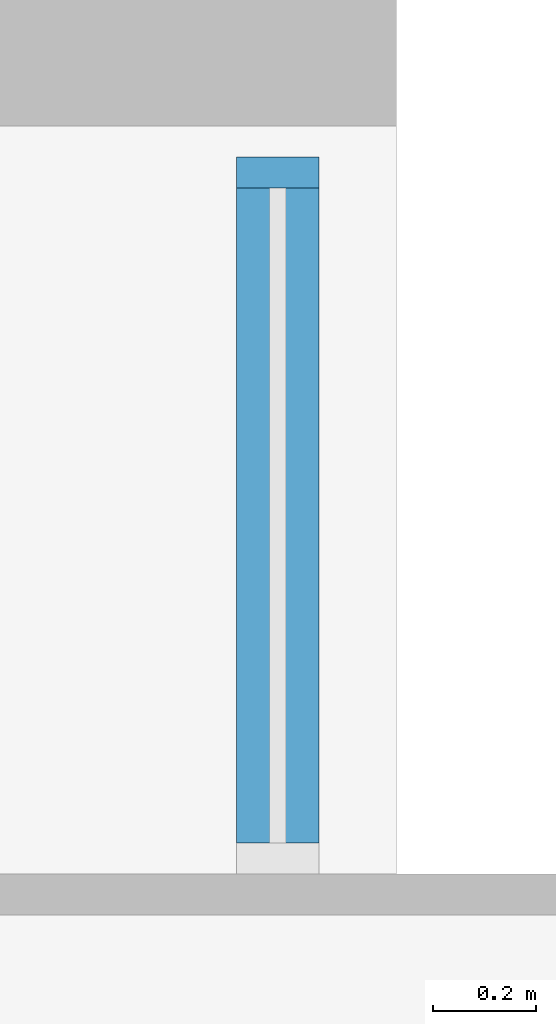
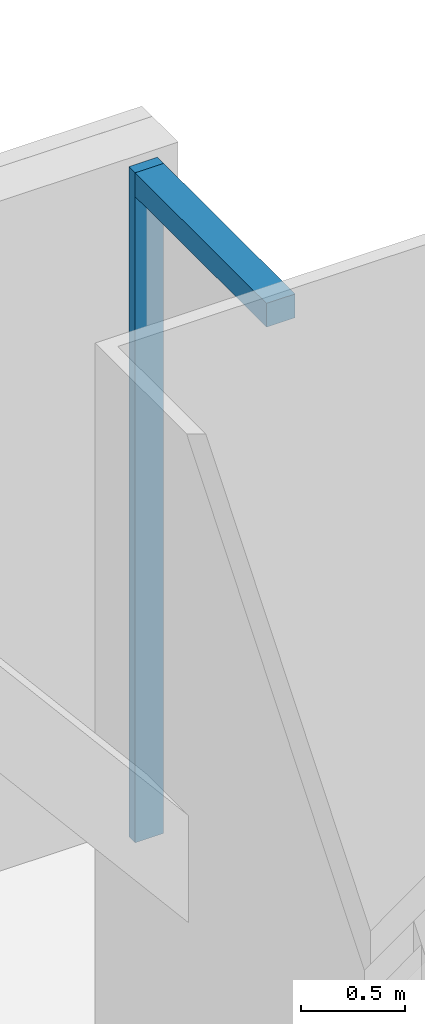
# One storey, part 14 of 22: 2 members, 1 element without a shape of its own.
"""IFC4 building model written with IfcOpenShell, lengths in metres."""

from ifc_helpers import new_model, si_unit, direction, frame, origin, origin_2d, place, context, subcontext, project, spatial, rectangle, extrude, material, material_profile, profile_set, type_object, element, aggregate, save


model = new_model("IFC4")

# Units and contexts
model_context = context("Model", 3, precision=1e-05, world=origin(), true_north=direction((0.0, 1.0)))
body_context = subcontext(model_context, "Body", "Model", "MODEL_VIEW")
ifc_project = project(units=[si_unit("LENGTHUNIT", "METRE"), si_unit("AREAUNIT", "SQUARE_METRE"), si_unit("VOLUMEUNIT", "CUBIC_METRE"), si_unit("PLANEANGLEUNIT", "RADIAN"), si_unit("MASSUNIT", "GRAM", prefix="KILO")], contexts=[model_context])

# Site, building, storey
site_placement = place(None, origin())
site = spatial("IfcSite", under=ifc_project, at=site_placement, CompositionType="ELEMENT")
building_placement = place(site_placement, origin())
building = spatial("IfcBuilding", under=site, at=building_placement, Name="Bicima Exchange Tower", CompositionType="ELEMENT")
storey_placement = place(building_placement, frame((0.0, 0.0, 169.10009765625)))
storey = spatial("IfcBuildingStorey", under=building, at=storey_placement, Name="L37", CompositionType="ELEMENT", Elevation=169.10009765625)

# Curtain wall, members
ifc_material = material(Name="Anodised bronze aluminium", Category="aluminium")
curtain_wall_type = type_object("IfcCurtainWallType", Name="Front glass wall", PredefinedType="NOTDEFINED", material=ifc_material)
curtain_wall_placement = place(storey_placement, origin())
curtain_wall = element("IfcCurtainWall", 1, at=curtain_wall_placement, inside=storey, type_object=curtain_wall_type, Name="Front glass wall L37 run 20", PredefinedType="NOTDEFINED")
ifc_material_profile_1 = material_profile(ifc_material, rectangle(XDim=0.159912109375, YDim=0.06005859375, at=origin_2d()))
ifc_profile_set_1 = profile_set([ifc_material_profile_1], Name="Anodised bronze aluminium")
member_type_1 = type_object("IfcMemberType", Name="Front glass wall mullion 60 x 160", PredefinedType="MULLION", material=ifc_profile_set_1)
member_1_placement = place(storey_placement, frame((32.77001953125, -0.340087890625, 0.0), z_axis=(0.0, 0.0, 1.0), x_axis=(-1.0, 0.0, 0.0)))
member_1 = element("IfcMember", 2, at=member_1_placement, type_object=member_type_1, Name="Front glass wall mullion 2", PredefinedType="MULLION", context=body_context, shape_type="SweptSolid", body=[
    extrude(rectangle(XDim=0.159912109375, YDim=0.06005859375, at=origin_2d()), origin(), (0.0, 0.0, 1.0), 3.949951171875),
])
ifc_material_profile_2 = material_profile(ifc_material, rectangle(XDim=0.159912109375, YDim=0.139892578125, at=origin_2d()))
ifc_profile_set_2 = profile_set([ifc_material_profile_2], Name="Anodised bronze aluminium")
member_type_2 = type_object("IfcMemberType", Name="Front glass wall transom 140 x 160", PredefinedType="USERDEFINED", material=ifc_profile_set_2)
member_2_placement = place(storey_placement, frame((32.77001953125, -1.639892578125, 3.8798828125), z_axis=(0.0, 1.0, 0.0), x_axis=(-1.0, 0.0, 0.0)))
member_2 = element("IfcMember", 3, at=member_2_placement, type_object=member_type_2, Name="Front glass wall transom 1.1", ObjectType="TRANSOM", PredefinedType="USERDEFINED", context=body_context, shape_type="SweptSolid", body=[
    extrude(rectangle(XDim=0.159912109375, YDim=0.139892578125, at=origin_2d()), origin(), (0.0, 0.0, 1.0), 1.269775390625),
])
aggregate(curtain_wall, [member_1, member_2])

save(model, "model.ifc")
